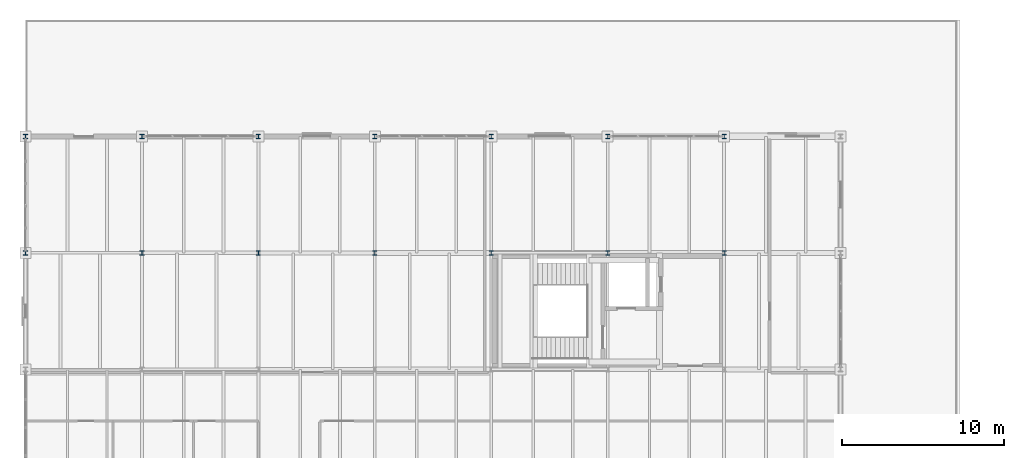
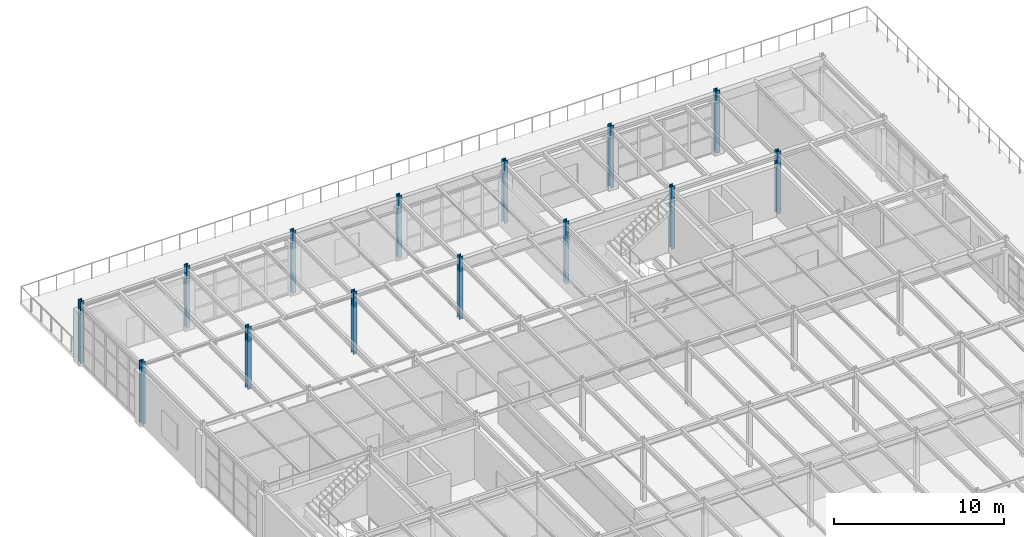
# One storey, part 9 of 101: 14 columns.
"""IFC4 building model written with IfcOpenShell, lengths in metres."""

from ifc_helpers import new_model, si_unit, direction, frame, origin, origin_2d, place, context, subcontext, project, spatial, i_section, extrude, material, material_profile, profile_set, type_object, element, save


model = new_model("IFC4")

# Units and contexts
model_context = context("Model", 3, precision=1e-05, world=origin(), true_north=direction((0.0, 1.0)))
body_context = subcontext(model_context, "Body", "Model", "MODEL_VIEW")
ifc_project = project(units=[si_unit("LENGTHUNIT", "METRE"), si_unit("AREAUNIT", "SQUARE_METRE"), si_unit("VOLUMEUNIT", "CUBIC_METRE"), si_unit("PLANEANGLEUNIT", "RADIAN"), si_unit("MASSUNIT", "GRAM", prefix="KILO")], contexts=[model_context])

# Site, building, storey
site_placement = place(None, origin())
site = spatial("IfcSite", under=ifc_project, at=site_placement, CompositionType="ELEMENT")
building_placement = place(site_placement, origin())
building = spatial("IfcBuilding", under=site, at=building_placement, Name="Kemerveld Promenade Tramway Depot", CompositionType="ELEMENT")
storey_placement = place(building_placement, frame((0.0, 0.0, 9.89990234375)))
storey = spatial("IfcBuildingStorey", under=building, at=storey_placement, Name="L02", CompositionType="ELEMENT", Elevation=9.89990234375)

# Columns
ifc_material = material(Name="Steel S355", Category="steel")
ifc_material_profile = material_profile(ifc_material, i_section(OverallWidth=0.26123046875, OverallDepth=0.2763671875, WebThickness=0.015380859375, FlangeThickness=0.025390625, FilletRadius=0.0126953125, at=origin_2d()), Name="254x254x132 UC")
ifc_profile_set = profile_set([ifc_material_profile], Name="Steel S355")
column_type = type_object("IfcColumnType", Name="COL-S07", PredefinedType="COLUMN", material=ifc_profile_set)
for number, where, z_axis, x_axis, name in (
    (1, (0.0, 64.800048828125, 0.0), (0.0, 0.0, 1.0), (1.0, 0.0, 0.0), "COL-L02-01-K"),
    (2, (0.0, 72.0, 0.0), (0.0, 0.0, 1.0), (1.0, 0.0, 0.0), "COL-L02-01-L"),
    (3, (7.199951171875, 64.800048828125, 0.0), (0.0, 0.0, 1.0), (1.0, 0.0, 0.0), "COL-L02-02-K"),
    (4, (7.199951171875, 72.0, 0.0), (0.0, 0.0, 1.0), (1.0, 0.0, 0.0), "COL-L02-02-L"),
    (5, (14.39990234375, 64.800048828125, 0.0), (0.0, 0.0, 1.0), (1.0, 0.0, 0.0), "COL-L02-03-K"),
    (6, (14.39990234375, 72.0, 0.0), (0.0, 0.0, 1.0), (1.0, 0.0, 0.0), "COL-L02-03-L"),
    (7, (21.60009765625, 64.800048828125, 0.0), (0.0, 0.0, 1.0), (1.0, 0.0, 0.0), "COL-L02-04-K"),
    (8, (21.60009765625, 72.0, 0.0), (0.0, 0.0, 1.0), (1.0, 0.0, 0.0), "COL-L02-04-L"),
    (9, (28.800048828125, 64.800048828125, 0.0), (0.0, 0.0, 1.0), (1.0, 0.0, 0.0), "COL-L02-05-K"),
    (10, (28.800048828125, 72.0, 0.0), (0.0, 0.0, 1.0), (1.0, 0.0, 0.0), "COL-L02-05-L"),
    (11, (36.0, 64.800048828125, 0.0), (0.0, 0.0, 1.0), (1.0, 0.0, 0.0), "COL-L02-06-K"),
    (12, (36.0, 72.0, 0.0), (0.0, 0.0, 1.0), (1.0, 0.0, 0.0), "COL-L02-06-L"),
    (13, (43.199951171875, 64.800048828125, 0.0), (0.0, 0.0, 1.0), (1.0, 0.0, 0.0), "COL-L02-07-K"),
    (14, (43.199951171875, 72.0, 0.0), (0.0, 0.0, 1.0), (1.0, 0.0, 0.0), "COL-L02-07-L"),
):
    element("IfcColumn", number, at=place(storey_placement, frame(where, z_axis=z_axis, x_axis=x_axis)), inside=storey, type_object=column_type, Name=name, PredefinedType="COLUMN", context=body_context, shape_type="SweptSolid", body=[
        extrude(i_section(OverallWidth=0.26123046875, OverallDepth=0.2763671875, WebThickness=0.015380859375, FlangeThickness=0.025390625, FilletRadius=0.0126953125, at=origin_2d()), origin(), (0.0, 0.0, 1.0), 4.5),
    ])

save(model, "model.ifc")
